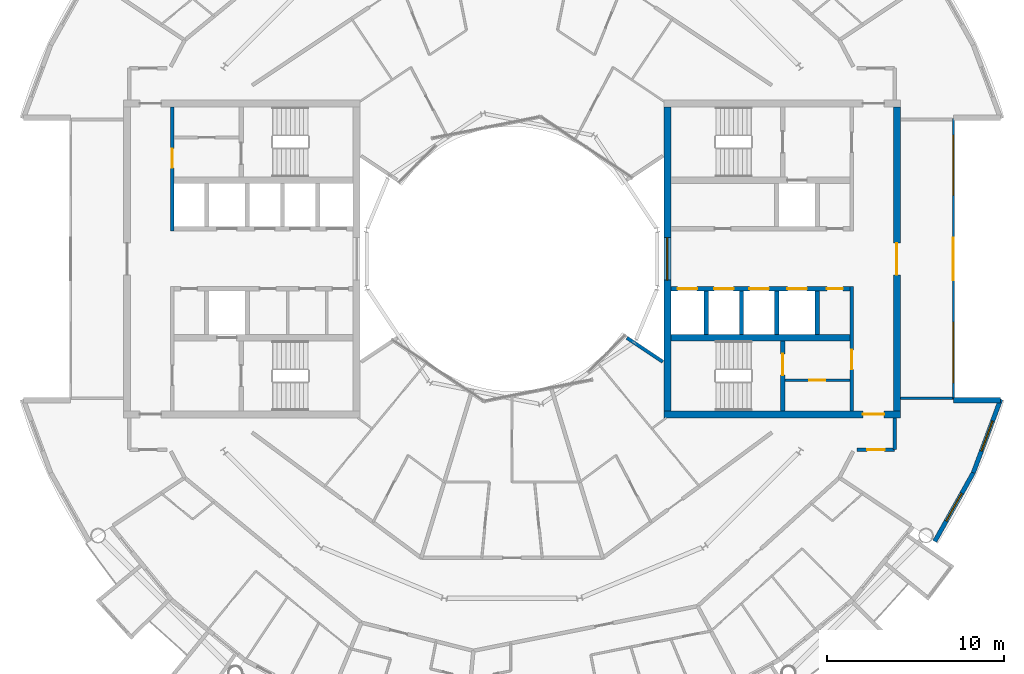
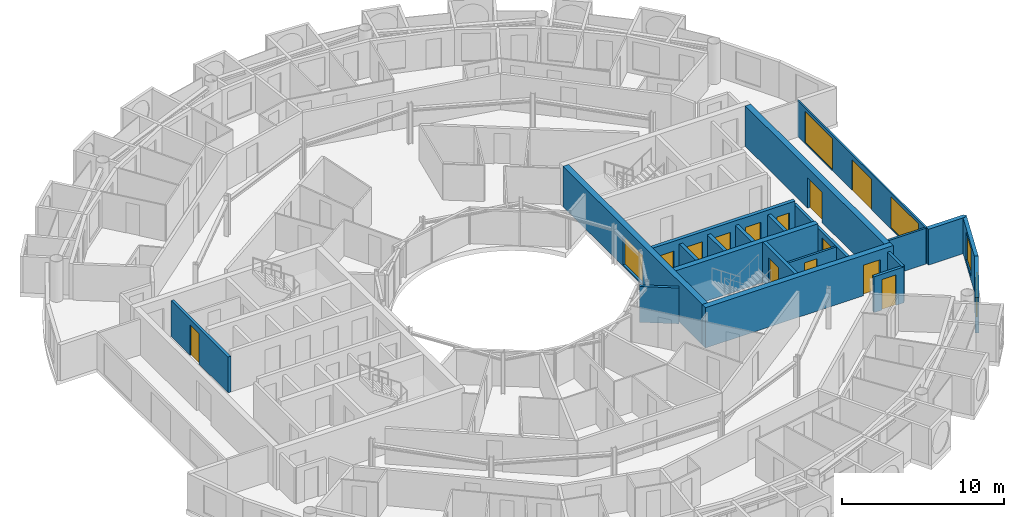
# One storey, part 19 of 28: 21 walls, 13 doors, 5 windows, 18 openings.
"""IFC4 building model written with IfcOpenShell, lengths in metres."""

from ifc_helpers import new_model, si_unit, direction, frame, frame_2d, origin, place, context, subcontext, project, spatial, rectangle, extrude, material, layer, layer_set, type_object, element, fill, save


model = new_model("IFC4")

# Units and contexts
model_context = context("Model", 3, precision=1e-05, world=origin(), true_north=direction((0.0, 1.0)))
body_context = subcontext(model_context, "Body", "Model", "MODEL_VIEW")
ifc_project = project(units=[si_unit("LENGTHUNIT", "METRE"), si_unit("AREAUNIT", "SQUARE_METRE"), si_unit("VOLUMEUNIT", "CUBIC_METRE"), si_unit("PLANEANGLEUNIT", "RADIAN"), si_unit("MASSUNIT", "GRAM", prefix="KILO")], contexts=[model_context])

# Site, building, storey
site_placement = place(None, origin())
site = spatial("IfcSite", under=ifc_project, at=site_placement, CompositionType="ELEMENT")
building_placement = place(site_placement, origin())
building = spatial("IfcBuilding", under=site, at=building_placement, Name="Maasbend Ring Residences", CompositionType="ELEMENT")
storey_placement = place(building_placement, frame((0.0, 0.0, 227.949951171875)))
storey = spatial("IfcBuildingStorey", under=building, at=storey_placement, Name="L65", CompositionType="ELEMENT", Elevation=227.949951171875)

# Wall, openings, doors
ifc_material_1 = material(Name="Concrete C50/60", Category="concrete")
ifc_layer_1 = layer(ifc_material_1, 0.25)
ifc_layer_set_1 = layer_set([ifc_layer_1], Name="Concrete C50/60")
wall_type_1 = type_object("IfcWallType", Name="CORE WALL 250 C50/60", PredefinedType="SHEAR", material=ifc_layer_set_1)
wall_1_placement = place(storey_placement, frame((19.14990234375, -1.699951171875, 0.0), z_axis=(0.0, 0.0, 1.0), x_axis=(-1.0, 0.0, 0.0)))
wall_1 = element("IfcWall", 1, at=wall_1_placement, inside=storey, type_object=wall_type_1, Name="L65 core E wall SPS", PredefinedType="SHEAR", context=body_context, shape_type="SweptSolid", body=[
    extrude(rectangle(XDim=10.14990234375, YDim=0.25, at=frame_2d((5.074951171875, 0.0))), origin(), (0.0, 0.0, 1.0), 3.050048828125),
])
opening_1_placement = place(wall_1_placement, frame((8.66259765625, 0.0, 0.0)))
opening_1 = element("IfcOpeningElement", 2, at=opening_1_placement, cuts=wall_1, Name="Opening LD-E6502", PredefinedType="OPENING", context=body_context, shape_type="SweptSolid", body=[
    extrude(rectangle(XDim=1.10009765625, YDim=2.300048828125, at=frame_2d((0.550048828125, 1.14990234375))), frame((0.0, 0.135009765625, 0.0), z_axis=(0.0, -1.0, 0.0), x_axis=(1.0, 0.0, 0.0)), (0.0, 0.0, 1.0), 0.27001953125),
])
opening_2_placement = place(wall_1_placement, frame((6.60009765625, 0.0, 0.0)))
opening_2 = element("IfcOpeningElement", 3, at=opening_2_placement, cuts=wall_1, Name="Opening LD-E6503", PredefinedType="OPENING", context=body_context, shape_type="SweptSolid", body=[
    extrude(rectangle(XDim=1.10009765625, YDim=2.300048828125, at=frame_2d((0.550048828125, 1.14990234375))), frame((0.0, 0.135009765625, 0.0), z_axis=(0.0, -1.0, 0.0), x_axis=(1.0, 0.0, 0.0)), (0.0, 0.0, 1.0), 0.27001953125),
])
opening_3_placement = place(wall_1_placement, frame((4.60009765625, 0.0, 0.0)))
opening_3 = element("IfcOpeningElement", 4, at=opening_3_placement, cuts=wall_1, Name="Opening LD-E6504", PredefinedType="OPENING", context=body_context, shape_type="SweptSolid", body=[
    extrude(rectangle(XDim=1.10009765625, YDim=2.300048828125, at=frame_2d((0.550048828125, 1.14990234375))), frame((0.0, 0.135009765625, 0.0), z_axis=(0.0, -1.0, 0.0), x_axis=(1.0, 0.0, 0.0)), (0.0, 0.0, 1.0), 0.27001953125),
])
opening_4_placement = place(wall_1_placement, frame((2.449951171875, 0.0, 0.0)))
opening_4 = element("IfcOpeningElement", 5, at=opening_4_placement, cuts=wall_1, Name="Opening LD-E6505", PredefinedType="OPENING", context=body_context, shape_type="SweptSolid", body=[
    extrude(rectangle(XDim=1.10009765625, YDim=2.300048828125, at=frame_2d((0.550048828125, 1.14990234375))), frame((0.0, 0.135009765625, 0.0), z_axis=(0.0, -1.0, 0.0), x_axis=(1.0, 0.0, 0.0)), (0.0, 0.0, 1.0), 0.27001953125),
])
opening_5_placement = place(wall_1_placement, frame((0.41259765625, 0.0, 0.0)))
opening_5 = element("IfcOpeningElement", 6, at=opening_5_placement, cuts=wall_1, Name="Opening D-E6508", PredefinedType="OPENING", context=body_context, shape_type="SweptSolid", body=[
    extrude(rectangle(XDim=0.89990234375, YDim=2.300048828125, at=frame_2d((0.449951171875, 1.14990234375))), frame((0.0, 0.135009765625, 0.0), z_axis=(0.0, -1.0, 0.0), x_axis=(1.0, 0.0, 0.0)), (0.0, 0.0, 1.0), 0.27001953125),
])
ifc_material_2 = material(Name="Stainless steel 316", Category="steel")
door_type_1 = type_object("IfcDoorType", Name="LANDING DOOR 1100 X 2300 FD60", OperationType="DOUBLE_DOOR_SLIDING", PredefinedType="DOOR", material=ifc_material_2)
door_1_placement = place(opening_1_placement, origin())
door_1 = element("IfcDoor", 7, at=door_1_placement, inside=storey, type_object=door_type_1, Name="Landing door HR-E1 L65", OperationType="DOUBLE_DOOR_SLIDING", OverallHeight=2.300048828125, OverallWidth=1.10009765625, PredefinedType="DOOR", context=body_context, shape_type="SweptSolid", body=[
    extrude(rectangle(XDim=1.10009765625, YDim=2.300048828125, at=frame_2d((0.550048828125, 1.14990234375))), frame((0.0, 0.02490234375, 0.0), z_axis=(0.0, -1.0, 0.0), x_axis=(1.0, 0.0, 0.0)), (0.0, 0.0, 1.0), 0.050048828125),
])
fill(opening_1, door_1)
door_2_placement = place(opening_2_placement, origin())
door_2 = element("IfcDoor", 8, at=door_2_placement, inside=storey, type_object=door_type_1, Name="Landing door HR-E2 L65", OperationType="DOUBLE_DOOR_SLIDING", OverallHeight=2.300048828125, OverallWidth=1.10009765625, PredefinedType="DOOR", context=body_context, shape_type="SweptSolid", body=[
    extrude(rectangle(XDim=1.10009765625, YDim=2.300048828125, at=frame_2d((0.550048828125, 1.14990234375))), frame((0.0, 0.02490234375, 0.0), z_axis=(0.0, -1.0, 0.0), x_axis=(1.0, 0.0, 0.0)), (0.0, 0.0, 1.0), 0.050048828125),
])
fill(opening_2, door_2)
door_3_placement = place(opening_3_placement, origin())
door_3 = element("IfcDoor", 9, at=door_3_placement, inside=storey, type_object=door_type_1, Name="Landing door HR-E3 L65", OperationType="DOUBLE_DOOR_SLIDING", OverallHeight=2.300048828125, OverallWidth=1.10009765625, PredefinedType="DOOR", context=body_context, shape_type="SweptSolid", body=[
    extrude(rectangle(XDim=1.10009765625, YDim=2.300048828125, at=frame_2d((0.550048828125, 1.14990234375))), frame((0.0, 0.02490234375, 0.0), z_axis=(0.0, -1.0, 0.0), x_axis=(1.0, 0.0, 0.0)), (0.0, 0.0, 1.0), 0.050048828125),
])
fill(opening_3, door_3)
door_4_placement = place(opening_4_placement, origin())
door_4 = element("IfcDoor", 10, at=door_4_placement, inside=storey, type_object=door_type_1, Name="Landing door SV-E L65", OperationType="DOUBLE_DOOR_SLIDING", OverallHeight=2.300048828125, OverallWidth=1.10009765625, PredefinedType="DOOR", context=body_context, shape_type="SweptSolid", body=[
    extrude(rectangle(XDim=1.10009765625, YDim=2.300048828125, at=frame_2d((0.550048828125, 1.14990234375))), frame((0.0, 0.02490234375, 0.0), z_axis=(0.0, -1.0, 0.0), x_axis=(1.0, 0.0, 0.0)), (0.0, 0.0, 1.0), 0.050048828125),
])
fill(opening_4, door_4)
ifc_material_3 = material(Name="Steel, powder coated", Category="steel")
door_type_2 = type_object("IfcDoorType", Name="ROOM DOOR 900 X 2300 FD30S", OperationType="NOTDEFINED", PredefinedType="DOOR", material=ifc_material_3)
door_5_placement = place(opening_5_placement, origin())
door_5 = element("IfcDoor", 11, at=door_5_placement, inside=storey, type_object=door_type_2, Name="Room door L65", OperationType="SINGLE_SWING_RIGHT", OverallHeight=2.300048828125, OverallWidth=0.89990234375, PredefinedType="DOOR", context=body_context, shape_type="SweptSolid", body=[
    extrude(rectangle(XDim=0.89990234375, YDim=2.300048828125, at=frame_2d((0.449951171875, 1.14990234375))), frame((0.0, 0.02490234375, 0.0), z_axis=(0.0, -1.0, 0.0), x_axis=(1.0, 0.0, 0.0)), (0.0, 0.0, 1.0), 0.050048828125),
])
fill(opening_5, door_5)

# Wall, opening, door
wall_2_placement = place(storey_placement, frame((15.324951171875, -8.60009765625, 0.0), z_axis=(0.0, 0.0, 1.0), x_axis=(0.0, 1.0, 0.0)))
wall_2 = element("IfcWall", 12, at=wall_2_placement, inside=storey, type_object=wall_type_1, Name="L65 core E wall STES", PredefinedType="SHEAR", context=body_context, shape_type="SweptSolid", body=[
    extrude(rectangle(XDim=3.9501953125, YDim=0.25, at=frame_2d((1.97509765625, 0.0))), origin(), (0.0, 0.0, 1.0), 3.050048828125),
])
opening_6_placement = place(wall_2_placement, frame((2.02490234375, 0.0, 0.0)))
opening_6 = element("IfcOpeningElement", 13, at=opening_6_placement, cuts=wall_2, Name="Opening D-E6511", PredefinedType="OPENING", context=body_context, shape_type="SweptSolid", body=[
    extrude(rectangle(XDim=1.199951171875, YDim=2.300048828125, at=frame_2d((0.60009765625, 1.14990234375))), frame((0.0, 0.135009765625, 0.0), z_axis=(0.0, -1.0, 0.0), x_axis=(1.0, 0.0, 0.0)), (0.0, 0.0, 1.0), 0.27001953125),
])
ifc_material_4 = material(Name="Steel, powder coated", Category="steel")
door_type_3 = type_object("IfcDoorType", Name="STAIR DOOR 1200 X 2300 FD60", OperationType="NOTDEFINED", PredefinedType="DOOR", material=ifc_material_4)
door_6_placement = place(opening_6_placement, origin())
door_6 = element("IfcDoor", 14, at=door_6_placement, inside=storey, type_object=door_type_3, Name="Stair door ST-E L65", OperationType="SINGLE_SWING_LEFT", OverallHeight=2.300048828125, OverallWidth=1.199951171875, PredefinedType="DOOR", context=body_context, shape_type="SweptSolid", body=[
    extrude(rectangle(XDim=1.199951171875, YDim=2.300048828125, at=frame_2d((0.60009765625, 1.14990234375))), frame((0.0, 0.02490234375, 0.0), z_axis=(0.0, -1.0, 0.0), x_axis=(1.0, 0.0, 0.0)), (0.0, 0.0, 1.0), 0.050048828125),
])
fill(opening_6, door_6)

# Wall
ifc_material_5 = material(Name="Concrete C50/60", Category="concrete")
ifc_layer_2 = layer(ifc_material_5, 0.375)
ifc_layer_set_2 = layer_set([ifc_layer_2], Name="Concrete C50/60")
wall_type_2 = type_object("IfcWallType", Name="CORE WALL 375 C50/60", PredefinedType="SHEAR", material=ifc_layer_set_2)
wall_3_placement = place(storey_placement, frame((9.0, -4.46240234375, 0.0), z_axis=(0.0, 0.0, 1.0), x_axis=(1.0, 0.0, 0.0)))
element("IfcWall", 15, at=wall_3_placement, inside=storey, type_object=wall_type_2, Name="L65 core E wall BS", PredefinedType="SHEAR", context=body_context, shape_type="SweptSolid", body=[
    extrude(rectangle(XDim=10.14990234375, YDim=0.375, at=frame_2d((5.074951171875, 0.0))), origin(), (0.0, 0.0, 1.0), 3.050048828125),
])

# Wall, opening, door
ifc_material_6 = material(Name="Concrete C50/60", Category="concrete")
ifc_layer_3 = layer(ifc_material_6, 0.39990234375)
ifc_layer_set_3 = layer_set([ifc_layer_3], Name="Concrete C50/60")
wall_type_3 = type_object("IfcWallType", Name="CORE WALL 400 C50/60", PredefinedType="SHEAR", material=ifc_layer_set_3)
wall_4_placement = place(storey_placement, frame((8.60009765625, -8.800048828125, 0.0), z_axis=(0.0, 0.0, 1.0), x_axis=(1.0, 0.0, 0.0)))
wall_4 = element("IfcWall", 16, at=wall_4_placement, inside=storey, type_object=wall_type_3, Name="L65 core E wall PS", PredefinedType="SHEAR", context=body_context, shape_type="SweptSolid", body=[
    extrude(rectangle(XDim=13.39990234375, YDim=0.39990234375, at=frame_2d((6.699951171875, 0.0))), origin(), (0.0, 0.0, 1.0), 3.050048828125),
])
opening_7_placement = place(wall_4_placement, frame((11.27490234375, 0.0, 0.0)))
opening_7 = element("IfcOpeningElement", 17, at=opening_7_placement, cuts=wall_4, Name="Opening D-E6515", PredefinedType="OPENING", context=body_context, shape_type="SweptSolid", body=[
    extrude(rectangle(XDim=1.199951171875, YDim=2.300048828125, at=frame_2d((0.60009765625, 1.14990234375))), frame((0.0, 0.2099609375, 0.0), z_axis=(0.0, -1.0, 0.0), x_axis=(1.0, 0.0, 0.0)), (0.0, 0.0, 1.0), 0.419921875),
])
ifc_material_7 = material(Name="Steel, powder coated", Category="steel")
door_type_4 = type_object("IfcDoorType", Name="CORRIDOR DOOR 1200 X 2300 FD30S", OperationType="NOTDEFINED", PredefinedType="DOOR", material=ifc_material_7)
door_7_placement = place(opening_7_placement, origin())
door_7 = element("IfcDoor", 18, at=door_7_placement, inside=storey, type_object=door_type_4, Name="Corridor door L65", OperationType="SINGLE_SWING_LEFT", OverallHeight=2.300048828125, OverallWidth=1.199951171875, PredefinedType="DOOR", context=body_context, shape_type="SweptSolid", body=[
    extrude(rectangle(XDim=1.199951171875, YDim=2.300048828125, at=frame_2d((0.60009765625, 1.14990234375))), frame((0.0, 0.02490234375, 0.0), z_axis=(0.0, -1.0, 0.0), x_axis=(1.0, 0.0, 0.0)), (0.0, 0.0, 1.0), 0.050048828125),
])
fill(opening_7, door_7)

wall_5_placement = place(storey_placement, frame((21.800048828125, 8.60009765625, 0.0), z_axis=(0.0, 0.0, 1.0), x_axis=(0.0, -1.0, 0.0)))
wall_5 = element("IfcWall", 19, at=wall_5_placement, inside=storey, type_object=wall_type_3, Name="L65 core E wall POUT", PredefinedType="SHEAR", context=body_context, shape_type="SweptSolid", body=[
    extrude(rectangle(XDim=17.2001953125, YDim=0.39990234375, at=frame_2d((8.60009765625, 0.0))), origin(), (0.0, 0.0, 1.0), 3.050048828125),
])
opening_8_placement = place(wall_5_placement, frame((7.699951171875, 0.0, 0.0)))
opening_8 = element("IfcOpeningElement", 20, at=opening_8_placement, cuts=wall_5, Name="Opening D-E6516", PredefinedType="OPENING", context=body_context, shape_type="SweptSolid", body=[
    extrude(rectangle(XDim=1.800048828125, YDim=2.300048828125, at=frame_2d((0.89990234375, 1.14990234375))), frame((0.0, 0.2099609375, 0.0), z_axis=(0.0, -1.0, 0.0), x_axis=(1.0, 0.0, 0.0)), (0.0, 0.0, 1.0), 0.419921875),
])
ifc_material_8 = material(Name="Aluminium frame, clear glass", Category="aluminium")
door_type_5 = type_object("IfcDoorType", Name="ENTRANCE DOOR 1800 X 2300 FD60", OperationType="NOTDEFINED", PredefinedType="DOOR", material=ifc_material_8)
door_8_placement = place(opening_8_placement, origin())
door_8 = element("IfcDoor", 21, at=door_8_placement, inside=storey, type_object=door_type_5, Name="Lobby glazed door L65", OperationType="SINGLE_SWING_LEFT", OverallHeight=2.300048828125, OverallWidth=1.800048828125, PredefinedType="DOOR", context=body_context, shape_type="SweptSolid", body=[
    extrude(rectangle(XDim=1.800048828125, YDim=2.300048828125, at=frame_2d((0.89990234375, 1.14990234375))), frame((0.0, 0.02490234375, 0.0), z_axis=(0.0, -1.0, 0.0), x_axis=(1.0, 0.0, 0.0)), (0.0, 0.0, 1.0), 0.050048828125),
])
fill(opening_8, door_8)

# Wall, opening, window
wall_6_placement = place(storey_placement, frame((8.800048828125, -8.60009765625, 0.0), z_axis=(0.0, 0.0, 1.0), x_axis=(0.0, 1.0, 0.0)))
wall_6 = element("IfcWall", 22, at=wall_6_placement, inside=storey, type_object=wall_type_3, Name="L65 core E wall PIN", PredefinedType="SHEAR", context=body_context, shape_type="SweptSolid", body=[
    extrude(rectangle(XDim=17.2001953125, YDim=0.39990234375, at=frame_2d((8.60009765625, 0.0))), origin(), (0.0, 0.0, 1.0), 3.050048828125),
])
opening_9_placement = place(wall_6_placement, frame((7.39990234375, 0.0, 0.10009765625)))
opening_9 = element("IfcOpeningElement", 23, at=opening_9_placement, cuts=wall_6, Name="Opening W-E6501", PredefinedType="OPENING", context=body_context, shape_type="SweptSolid", body=[
    extrude(rectangle(XDim=2.39990234375, YDim=2.199951171875, at=frame_2d((1.199951171875, 1.10009765625))), frame((0.0, 0.2099609375, 0.0), z_axis=(0.0, -1.0, 0.0), x_axis=(1.0, 0.0, 0.0)), (0.0, 0.0, 1.0), 0.419921875),
])
ifc_material_9 = material(Name="Aluminium frame and clear glass", Category="aluminium")
window_type_1 = type_object("IfcWindowType", Name="FIXED WINDOW 2400 X 2200", PartitioningType="SINGLE_PANEL", PredefinedType="WINDOW", material=ifc_material_9)
window_1_placement = place(opening_9_placement, origin())
window_1 = element("IfcWindow", 24, at=window_1_placement, inside=storey, type_object=window_type_1, Name="Lobby window L65", OverallHeight=2.199951171875, OverallWidth=2.39990234375, PartitioningType="SINGLE_PANEL", PredefinedType="WINDOW", context=body_context, shape_type="SweptSolid", body=[
    extrude(rectangle(XDim=2.39990234375, YDim=2.199951171875, at=frame_2d((1.199951171875, 1.10009765625))), frame((0.0, 0.030029296875, 0.0), z_axis=(0.0, -1.0, 0.0), x_axis=(1.0, 0.0, 0.0)), (0.0, 0.0, 1.0), 0.06005859375),
])
fill(opening_9, window_1)

# Wall
ifc_material_10 = material(Name="Concrete C30/37", Category="concrete")
ifc_layer_4 = layer(ifc_material_10, 0.199951171875)
ifc_layer_set_4 = layer_set([ifc_layer_4], Name="Concrete C30/37")
wall_type_4 = type_object("IfcWallType", Name="CORRIDOR WALL 200 CONCRETE", PredefinedType="PARTITIONING", material=ifc_layer_set_4)
wall_7_placement = place(storey_placement, frame((21.675048828125, -10.800048828125, 0.0), z_axis=(0.0, 0.0, 1.0), x_axis=(0.0, 1.0, 0.0)))
element("IfcWall", 25, at=wall_7_placement, inside=storey, type_object=wall_type_4, Name="U-L65-w012", PredefinedType="PARTITIONING", context=body_context, shape_type="SweptSolid", body=[
    extrude(rectangle(XDim=1.800048828125, YDim=0.199951171875, at=frame_2d((0.89990234375, 0.0))), origin(), (0.0, 0.0, 1.0), 2.699951171875),
])

# Wall, opening, door
wall_8_placement = place(storey_placement, frame((19.54296875, -10.800048828125, 0.0), z_axis=(0.0, 0.0, 1.0), x_axis=(1.0, 0.0, 0.0)))
wall_8 = element("IfcWall", 26, at=wall_8_placement, inside=storey, type_object=wall_type_4, Name="U-L65-w027", PredefinedType="PARTITIONING", context=body_context, shape_type="SweptSolid", body=[
    extrude(rectangle(XDim=2.132080078125, YDim=0.199951171875, at=frame_2d((1.06591796875, 0.0))), origin(), (0.0, 0.0, 1.0), 2.699951171875),
])
opening_10_placement = place(wall_8_placement, frame((0.56591796875, 0.0, 0.0)))
opening_10 = element("IfcOpeningElement", 27, at=opening_10_placement, cuts=wall_8, Name="Opening D-6559", PredefinedType="OPENING", context=body_context, shape_type="SweptSolid", body=[
    extrude(rectangle(XDim=1.0, YDim=2.300048828125, at=frame_2d((0.5, 1.14990234375))), frame((0.0, 0.10986328125, 0.0), z_axis=(0.0, -1.0, 0.0), x_axis=(1.0, 0.0, 0.0)), (0.0, 0.0, 1.0), 0.219970703125),
])
ifc_material_11 = material(Name="Timber, painted", Category="wood")
door_type_6 = type_object("IfcDoorType", Name="ROOM DOOR 1000 X 2300", OperationType="NOTDEFINED", PredefinedType="DOOR", material=ifc_material_11)
door_9_placement = place(opening_10_placement, origin())
door_9 = element("IfcDoor", 28, at=door_9_placement, inside=storey, type_object=door_type_6, Name="D-6559", OperationType="SINGLE_SWING_RIGHT", OverallHeight=2.300048828125, OverallWidth=1.0, PredefinedType="DOOR", context=body_context, shape_type="SweptSolid", body=[
    extrude(rectangle(XDim=1.0, YDim=2.300048828125, at=frame_2d((0.5, 1.14990234375))), frame((0.0, 0.02490234375, 0.0), z_axis=(0.0, -1.0, 0.0), x_axis=(1.0, 0.0, 0.0)), (0.0, 0.0, 1.0), 0.050048828125),
])
fill(opening_10, door_9)

# Wall, opening, window
ifc_material_12 = material(Name="Aluminium clad insulated panel", Category="aluminium")
ifc_layer_5 = layer(ifc_material_12, 0.25)
ifc_layer_set_5 = layer_set([ifc_layer_5], Name="EW-HORN")
wall_type_5 = type_object("IfcWallType", Name="EW-HORN", PredefinedType="SOLIDWALL", material=ifc_layer_set_5)
wall_9_placement = place(storey_placement, frame((23.946044921875, -16.0, 0.0), z_axis=(0.0, 0.0, 1.0), x_axis=(0.489696356642, 0.871893042919, 0.0)))
wall_9 = element("IfcWall", 29, at=wall_9_placement, inside=storey, type_object=wall_type_5, Name="Horn wall 2.1", PredefinedType="SOLIDWALL", context=body_context, shape_type="SweptSolid", body=[
    extrude(rectangle(XDim=4.45361328125, YDim=0.25, at=frame_2d((2.226806640625, 0.0))), origin(), (0.0, 0.0, 1.0), 2.699951171875),
])
opening_11_placement = place(wall_9_placement, frame((1.32666015625, 0.0, 0.300048828125)))
opening_11 = element("IfcOpeningElement", 30, at=opening_11_placement, cuts=wall_9, Name="Opening W-BX", PredefinedType="OPENING", context=body_context, shape_type="SweptSolid", body=[
    extrude(rectangle(XDim=1.800048828125, YDim=2.10009765625, at=frame_2d((0.89990234375, 1.050048828125))), frame((0.0, 0.135009765625, 0.0), z_axis=(0.0, -1.0, 0.0), x_axis=(1.0, 0.0, 0.0)), (0.0, 0.0, 1.0), 0.27001953125),
])
ifc_material_13 = material(Name="Aluminium and clear glass", Category="aluminium")
window_type_2 = type_object("IfcWindowType", Name="W-BX", PartitioningType="DOUBLE_PANEL_VERTICAL", PredefinedType="WINDOW", material=ifc_material_13)
window_2_placement = place(opening_11_placement, origin())
window_2 = element("IfcWindow", 31, at=window_2_placement, inside=storey, type_object=window_type_2, Name="Horn window 2.1", OverallHeight=2.10009765625, OverallWidth=1.800048828125, PartitioningType="SINGLE_PANEL", PredefinedType="WINDOW", context=body_context, shape_type="SweptSolid", body=[
    extrude(rectangle(XDim=1.800048828125, YDim=2.10009765625, at=frame_2d((0.89990234375, 1.050048828125))), frame((0.0, 0.030029296875, 0.0), z_axis=(0.0, -1.0, 0.0), x_axis=(1.0, 0.0, 0.0)), (0.0, 0.0, 1.0), 0.06005859375),
])
fill(opening_11, window_2)

wall_10_placement = place(storey_placement, frame((26.126953125, -12.116943359375, 0.0), z_axis=(0.0, 0.0, 1.0), x_axis=(0.349247811493, 0.937030397675, 0.0)))
wall_10 = element("IfcWall", 32, at=wall_10_placement, inside=storey, type_object=wall_type_5, Name="Horn wall 2.2", PredefinedType="SOLIDWALL", context=body_context, shape_type="SweptSolid", body=[
    extrude(rectangle(XDim=4.4521484375, YDim=0.25, at=frame_2d((2.22607421875, 0.0))), origin(), (0.0, 0.0, 1.0), 2.699951171875),
])
opening_12_placement = place(wall_10_placement, frame((1.32666015625, 0.0, 0.300048828125)))
opening_12 = element("IfcOpeningElement", 33, at=opening_12_placement, cuts=wall_10, Name="Opening W-BX", PredefinedType="OPENING", context=body_context, shape_type="SweptSolid", body=[
    extrude(rectangle(XDim=1.800048828125, YDim=2.10009765625, at=frame_2d((0.89990234375, 1.050048828125))), frame((0.0, 0.135009765625, 0.0), z_axis=(0.0, -1.0, 0.0), x_axis=(1.0, 0.0, 0.0)), (0.0, 0.0, 1.0), 0.27001953125),
])
window_3_placement = place(opening_12_placement, origin())
window_3 = element("IfcWindow", 34, at=window_3_placement, inside=storey, type_object=window_type_2, Name="Horn window 2.2", OverallHeight=2.10009765625, OverallWidth=1.800048828125, PartitioningType="SINGLE_PANEL", PredefinedType="WINDOW", context=body_context, shape_type="SweptSolid", body=[
    extrude(rectangle(XDim=1.800048828125, YDim=2.10009765625, at=frame_2d((0.89990234375, 1.050048828125))), frame((0.0, 0.030029296875, 0.0), z_axis=(0.0, -1.0, 0.0), x_axis=(1.0, 0.0, 0.0)), (0.0, 0.0, 1.0), 0.06005859375),
])
fill(opening_12, window_3)

# Wall
ifc_material_14 = material(Name="Aluminium clad insulated panel", Category="aluminium")
ifc_layer_6 = layer(ifc_material_14, 0.300048828125)
ifc_layer_set_6 = layer_set([ifc_layer_6], Name="EW-RET")
wall_type_6 = type_object("IfcWallType", Name="EW-RET", PredefinedType="SOLIDWALL", material=ifc_layer_set_6)
wall_11_placement = place(storey_placement, frame((25.0, -8.0, 0.0), z_axis=(0.0, 0.0, 1.0), x_axis=(1.0, 0.0, 0.0)))
element("IfcWall", 35, at=wall_11_placement, inside=storey, type_object=wall_type_6, Name="Notch return wall east south", PredefinedType="SOLIDWALL", context=body_context, shape_type="SweptSolid", body=[
    extrude(rectangle(XDim=2.6669921875, YDim=0.300048828125, at=frame_2d((1.33349609375, 0.0))), origin(), (0.0, 0.0, 1.0), 2.699951171875),
])

# Wall, openings, door, windows
ifc_material_15 = material(Name="Aluminium frame and clear glass", Category="aluminium")
ifc_layer_7 = layer(ifc_material_15, 0.1201171875)
ifc_layer_set_7 = layer_set([ifc_layer_7], Name="GLAZED SCREEN WALL 120 EI 60")
wall_type_7 = type_object("IfcWallType", Name="GLAZED SCREEN WALL 120 EI 60", PredefinedType="PARTITIONING", material=ifc_layer_set_7)
wall_12_placement = place(storey_placement, frame((25.0, 7.949951171875, 0.0), z_axis=(0.0, 0.0, 1.0), x_axis=(0.0, -1.0, 0.0)))
wall_12 = element("IfcWall", 36, at=wall_12_placement, inside=storey, type_object=wall_type_7, Name="L65 core E wall FACE", PredefinedType="PARTITIONING", context=body_context, shape_type="SweptSolid", body=[
    extrude(rectangle(XDim=15.89990234375, YDim=0.1201171875, at=frame_2d((7.949951171875, 0.0))), origin(), (0.0, 0.0, 1.0), 2.699951171875),
])
opening_13_placement = place(wall_12_placement, frame((6.75, 0.0, 0.0)))
opening_13 = element("IfcOpeningElement", 37, at=opening_13_placement, cuts=wall_12, Name="Opening D-E6517", PredefinedType="OPENING", context=body_context, shape_type="SweptSolid", body=[
    extrude(rectangle(XDim=2.39990234375, YDim=2.300048828125, at=frame_2d((1.199951171875, 1.14990234375))), frame((0.0, 0.070068359375, 0.0), z_axis=(0.0, -1.0, 0.0), x_axis=(1.0, 0.0, 0.0)), (0.0, 0.0, 1.0), 0.14013671875),
])
opening_14_placement = place(wall_12_placement, frame((11.550048828125, 0.0, 0.10009765625)))
opening_14 = element("IfcOpeningElement", 38, at=opening_14_placement, cuts=wall_12, Name="Opening W-E6502", PredefinedType="OPENING", context=body_context, shape_type="SweptSolid", body=[
    extrude(rectangle(XDim=3.39990234375, YDim=2.35009765625, at=frame_2d((1.699951171875, 1.175048828125))), frame((0.0, 0.070068359375, 0.0), z_axis=(0.0, -1.0, 0.0), x_axis=(1.0, 0.0, 0.0)), (0.0, 0.0, 1.0), 0.14013671875),
])
opening_15_placement = place(wall_12_placement, frame((0.949951171875, 0.0, 0.10009765625)))
opening_15 = element("IfcOpeningElement", 39, at=opening_15_placement, cuts=wall_12, Name="Opening W-E6503", PredefinedType="OPENING", context=body_context, shape_type="SweptSolid", body=[
    extrude(rectangle(XDim=3.39990234375, YDim=2.35009765625, at=frame_2d((1.699951171875, 1.175048828125))), frame((0.0, 0.070068359375, 0.0), z_axis=(0.0, -1.0, 0.0), x_axis=(1.0, 0.0, 0.0)), (0.0, 0.0, 1.0), 0.14013671875),
])
ifc_material_16 = material(Name="Aluminium frame, clear glass", Category="aluminium")
door_type_7 = type_object("IfcDoorType", Name="ENTRANCE DOOR 2400 X 2300 FD60", OperationType="NOTDEFINED", PredefinedType="DOOR", material=ifc_material_16)
door_10_placement = place(opening_13_placement, origin())
door_10 = element("IfcDoor", 40, at=door_10_placement, inside=storey, type_object=door_type_7, Name="Lobby glazed door L65", OperationType="SINGLE_SWING_LEFT", OverallHeight=2.300048828125, OverallWidth=2.39990234375, PredefinedType="DOOR", context=body_context, shape_type="SweptSolid", body=[
    extrude(rectangle(XDim=2.39990234375, YDim=2.300048828125, at=frame_2d((1.199951171875, 1.14990234375))), frame((0.0, 0.02490234375, 0.0), z_axis=(0.0, -1.0, 0.0), x_axis=(1.0, 0.0, 0.0)), (0.0, 0.0, 1.0), 0.050048828125),
])
fill(opening_13, door_10)
ifc_material_17 = material(Name="Aluminium frame and clear glass", Category="aluminium")
window_type_3 = type_object("IfcWindowType", Name="FIXED WINDOW 3400 X 2350", PartitioningType="SINGLE_PANEL", PredefinedType="WINDOW", material=ifc_material_17)
window_4_placement = place(opening_14_placement, origin())
window_4 = element("IfcWindow", 41, at=window_4_placement, inside=storey, type_object=window_type_3, Name="Lobby window L65", OverallHeight=2.35009765625, OverallWidth=3.39990234375, PartitioningType="SINGLE_PANEL", PredefinedType="WINDOW", context=body_context, shape_type="SweptSolid", body=[
    extrude(rectangle(XDim=3.39990234375, YDim=2.35009765625, at=frame_2d((1.699951171875, 1.175048828125))), frame((0.0, 0.030029296875, 0.0), z_axis=(0.0, -1.0, 0.0), x_axis=(1.0, 0.0, 0.0)), (0.0, 0.0, 1.0), 0.06005859375),
])
fill(opening_14, window_4)
window_5_placement = place(opening_15_placement, origin())
window_5 = element("IfcWindow", 42, at=window_5_placement, inside=storey, type_object=window_type_3, Name="Lobby window L65", OverallHeight=2.35009765625, OverallWidth=3.39990234375, PartitioningType="SINGLE_PANEL", PredefinedType="WINDOW", context=body_context, shape_type="SweptSolid", body=[
    extrude(rectangle(XDim=3.39990234375, YDim=2.35009765625, at=frame_2d((1.699951171875, 1.175048828125))), frame((0.0, 0.030029296875, 0.0), z_axis=(0.0, -1.0, 0.0), x_axis=(1.0, 0.0, 0.0)), (0.0, 0.0, 1.0), 0.06005859375),
])
fill(opening_15, window_5)

# Wall, opening, door
ifc_material_18 = material(Name="Gypsum board on steel studs", Category="steel")
ifc_layer_8 = layer(ifc_material_18, 0.14990234375)
ifc_layer_set_8 = layer_set([ifc_layer_8], Name="PARTITION 150 EI 60")
wall_type_8 = type_object("IfcWallType", Name="PARTITION 150 EI 60", PredefinedType="PARTITIONING", material=ifc_layer_set_8)
wall_13_placement = place(storey_placement, frame((15.449951171875, -6.875, 0.0), z_axis=(0.0, 0.0, 1.0), x_axis=(1.0, 0.0, 0.0)))
wall_13 = element("IfcWall", 43, at=wall_13_placement, inside=storey, type_object=wall_type_8, Name="L65 core E wall RHS", PredefinedType="PARTITIONING", context=body_context, shape_type="SweptSolid", body=[
    extrude(rectangle(XDim=3.699951171875, YDim=0.14990234375, at=frame_2d((1.85009765625, 0.0))), origin(), (0.0, 0.0, 1.0), 2.699951171875),
])
opening_16_placement = place(wall_13_placement, frame((1.39990234375, 0.0, 0.0)))
opening_16 = element("IfcOpeningElement", 44, at=opening_16_placement, cuts=wall_13, Name="Opening D-E6509", PredefinedType="OPENING", context=body_context, shape_type="SweptSolid", body=[
    extrude(rectangle(XDim=0.89990234375, YDim=2.300048828125, at=frame_2d((0.449951171875, 1.14990234375))), frame((0.0, 0.0849609375, 0.0), z_axis=(0.0, -1.0, 0.0), x_axis=(1.0, 0.0, 0.0)), (0.0, 0.0, 1.0), 0.169921875),
])
ifc_material_19 = material(Name="Steel, powder coated", Category="steel")
door_type_8 = type_object("IfcDoorType", Name="RISER DOOR 900 X 2300 FD60", OperationType="NOTDEFINED", PredefinedType="DOOR", material=ifc_material_19)
door_11_placement = place(opening_16_placement, origin())
door_11 = element("IfcDoor", 45, at=door_11_placement, inside=storey, type_object=door_type_8, Name="Riser door L65", OperationType="SINGLE_SWING_LEFT", OverallHeight=2.300048828125, OverallWidth=0.89990234375, PredefinedType="DOOR", context=body_context, shape_type="SweptSolid", body=[
    extrude(rectangle(XDim=0.89990234375, YDim=2.300048828125, at=frame_2d((0.449951171875, 1.14990234375))), frame((0.0, 0.02490234375, 0.0), z_axis=(0.0, -1.0, 0.0), x_axis=(1.0, 0.0, 0.0)), (0.0, 0.0, 1.0), 0.050048828125),
])
fill(opening_16, door_11)

# Walls
wall_14_placement = place(storey_placement, frame((22.0, -7.89990234375, 0.0), z_axis=(0.0, 0.0, 1.0), x_axis=(1.0, 0.0, 0.0)))
element("IfcWall", 46, at=wall_14_placement, inside=storey, type_object=wall_type_8, Name="L65 core E wall CITS", PredefinedType="PARTITIONING", context=body_context, shape_type="SweptSolid", body=[
    extrude(rectangle(XDim=2.93994140625, YDim=0.14990234375, at=frame_2d((1.469970703125, 0.0))), origin(), (0.0, 0.0, 1.0), 2.699951171875),
])
ifc_material_20 = material(Name="Concrete C30/37", Category="concrete")
ifc_layer_9 = layer(ifc_material_20, 0.199951171875)
ifc_layer_set_9 = layer_set([ifc_layer_9], Name="Concrete C30/37")
wall_type_9 = type_object("IfcWallType", Name="PARTY WALL 200 CONCRETE", PredefinedType="PARTITIONING", material=ifc_layer_set_9)
wall_15_placement = place(storey_placement, frame((6.512939453125, -4.471923828125, 0.0), z_axis=(0.0, 0.0, 1.0), x_axis=(0.831450132577, -0.555599385382, 0.0)))
element("IfcWall", 47, at=wall_15_placement, inside=storey, type_object=wall_type_9, Name="U-L65-w029", PredefinedType="PARTITIONING", context=body_context, shape_type="SweptSolid", body=[
    extrude(rectangle(XDim=2.442626953125, YDim=0.199951171875, at=frame_2d((1.22119140625, 0.0))), origin(), (0.0, 0.0, 1.0), 2.699951171875),
])

# Wall, opening, door
ifc_material_21 = material(Name="Concrete C30/37", Category="concrete")
ifc_layer_10 = layer(ifc_material_21, 0.199951171875)
ifc_layer_set_10 = layer_set([ifc_layer_10], Name="Concrete C30/37")
wall_type_10 = type_object("IfcWallType", Name="SHAFT WALL 200 EI 120", PredefinedType="SOLIDWALL", material=ifc_layer_set_10)
wall_16_placement = place(storey_placement, frame((19.25, -8.60009765625, 0.0), z_axis=(0.0, 0.0, 1.0), x_axis=(0.0, 1.0, 0.0)))
wall_16 = element("IfcWall", 48, at=wall_16_placement, inside=storey, type_object=wall_type_10, Name="L65 core E wall ENDS", PredefinedType="SOLIDWALL", context=body_context, shape_type="SweptSolid", body=[
    extrude(rectangle(XDim=7.025146484375, YDim=0.199951171875, at=frame_2d((3.5126953125, 0.0))), origin(), (0.0, 0.0, 1.0), 2.699951171875),
])
opening_17_placement = place(wall_16_placement, frame((2.35009765625, 0.0, 0.0)))
opening_17 = element("IfcOpeningElement", 49, at=opening_17_placement, cuts=wall_16, Name="Opening D-E6513", PredefinedType="OPENING", context=body_context, shape_type="SweptSolid", body=[
    extrude(rectangle(XDim=1.10009765625, YDim=2.300048828125, at=frame_2d((0.550048828125, 1.14990234375))), frame((0.0, 0.10986328125, 0.0), z_axis=(0.0, -1.0, 0.0), x_axis=(1.0, 0.0, 0.0)), (0.0, 0.0, 1.0), 0.219970703125),
])
ifc_material_22 = material(Name="Steel, powder coated", Category="steel")
door_type_9 = type_object("IfcDoorType", Name="LOBBY DOOR 1100 X 2300 FD60", OperationType="NOTDEFINED", PredefinedType="DOOR", material=ifc_material_22)
door_12_placement = place(opening_17_placement, origin())
door_12 = element("IfcDoor", 50, at=door_12_placement, inside=storey, type_object=door_type_9, Name="Lobby door L65", OperationType="SINGLE_SWING_RIGHT", OverallHeight=2.300048828125, OverallWidth=1.10009765625, PredefinedType="DOOR", context=body_context, shape_type="SweptSolid", body=[
    extrude(rectangle(XDim=1.10009765625, YDim=2.300048828125, at=frame_2d((0.550048828125, 1.14990234375))), frame((0.0, 0.02490234375, 0.0), z_axis=(0.0, -1.0, 0.0), x_axis=(1.0, 0.0, 0.0)), (0.0, 0.0, 1.0), 0.050048828125),
])
fill(opening_17, door_12)

wall_17_placement = place(storey_placement, frame((-19.25, 8.60009765625, 0.0), z_axis=(0.0, 0.0, 1.0), x_axis=(0.0, -1.0, 0.0)))
wall_17 = element("IfcWall", 51, at=wall_17_placement, inside=storey, type_object=wall_type_10, Name="L65 core W wall ENDS", PredefinedType="SOLIDWALL", context=body_context, shape_type="SweptSolid", body=[
    extrude(rectangle(XDim=7.025146484375, YDim=0.199951171875, at=frame_2d((3.5126953125, 0.0))), origin(), (0.0, 0.0, 1.0), 2.699951171875),
])
opening_18_placement = place(wall_17_placement, frame((2.35009765625, 0.0, 0.0)))
opening_18 = element("IfcOpeningElement", 52, at=opening_18_placement, cuts=wall_17, Name="Opening D-W6514", PredefinedType="OPENING", context=body_context, shape_type="SweptSolid", body=[
    extrude(rectangle(XDim=1.10009765625, YDim=2.300048828125, at=frame_2d((0.550048828125, 1.14990234375))), frame((0.0, 0.10986328125, 0.0), z_axis=(0.0, -1.0, 0.0), x_axis=(1.0, 0.0, 0.0)), (0.0, 0.0, 1.0), 0.219970703125),
])
door_13_placement = place(opening_18_placement, origin())
door_13 = element("IfcDoor", 53, at=door_13_placement, inside=storey, type_object=door_type_9, Name="Lobby door L65", OperationType="SINGLE_SWING_RIGHT", OverallHeight=2.300048828125, OverallWidth=1.10009765625, PredefinedType="DOOR", context=body_context, shape_type="SweptSolid", body=[
    extrude(rectangle(XDim=1.10009765625, YDim=2.300048828125, at=frame_2d((0.550048828125, 1.14990234375))), frame((0.0, 0.02490234375, 0.0), z_axis=(0.0, -1.0, 0.0), x_axis=(1.0, 0.0, 0.0)), (0.0, 0.0, 1.0), 0.050048828125),
])
fill(opening_18, door_13)

# Walls
ifc_material_23 = material(Name="Concrete C30/37", Category="concrete")
ifc_layer_11 = layer(ifc_material_23, 0.25)
ifc_layer_set_11 = layer_set([ifc_layer_11], Name="Concrete C30/37")
wall_type_11 = type_object("IfcWallType", Name="SHAFT WALL 250 EI 120", PredefinedType="SOLIDWALL", material=ifc_layer_set_11)
for number, where, z_axis, x_axis, name in (
    (54, (15.0, -1.824951171875, 0.0), (0.0, 0.0, 1.0), (0.0, -1.0, 0.0), "L65 core E wall D150S"),
    (55, (17.300048828125, -1.824951171875, 0.0), (0.0, 0.0, 1.0), (0.0, -1.0, 0.0), "L65 core E wall D173S"),
    (56, (11.0, -1.824951171875, 0.0), (0.0, 0.0, 1.0), (0.0, -1.0, 0.0), "L65 core E wall D110S"),
    (57, (13.0, -1.824951171875, 0.0), (0.0, 0.0, 1.0), (0.0, -1.0, 0.0), "L65 core E wall D130S"),
):
    element("IfcWall", number, at=place(storey_placement, frame(where, z_axis=z_axis, x_axis=x_axis)), inside=storey, type_object=wall_type_11, Name=name, PredefinedType="SOLIDWALL", context=body_context, shape_type="SweptSolid", body=[
        extrude(rectangle(XDim=2.449951171875, YDim=0.25, at=frame_2d((1.22509765625, 0.0))), origin(), (0.0, 0.0, 1.0), 2.699951171875),
    ])

save(model, "model.ifc")
